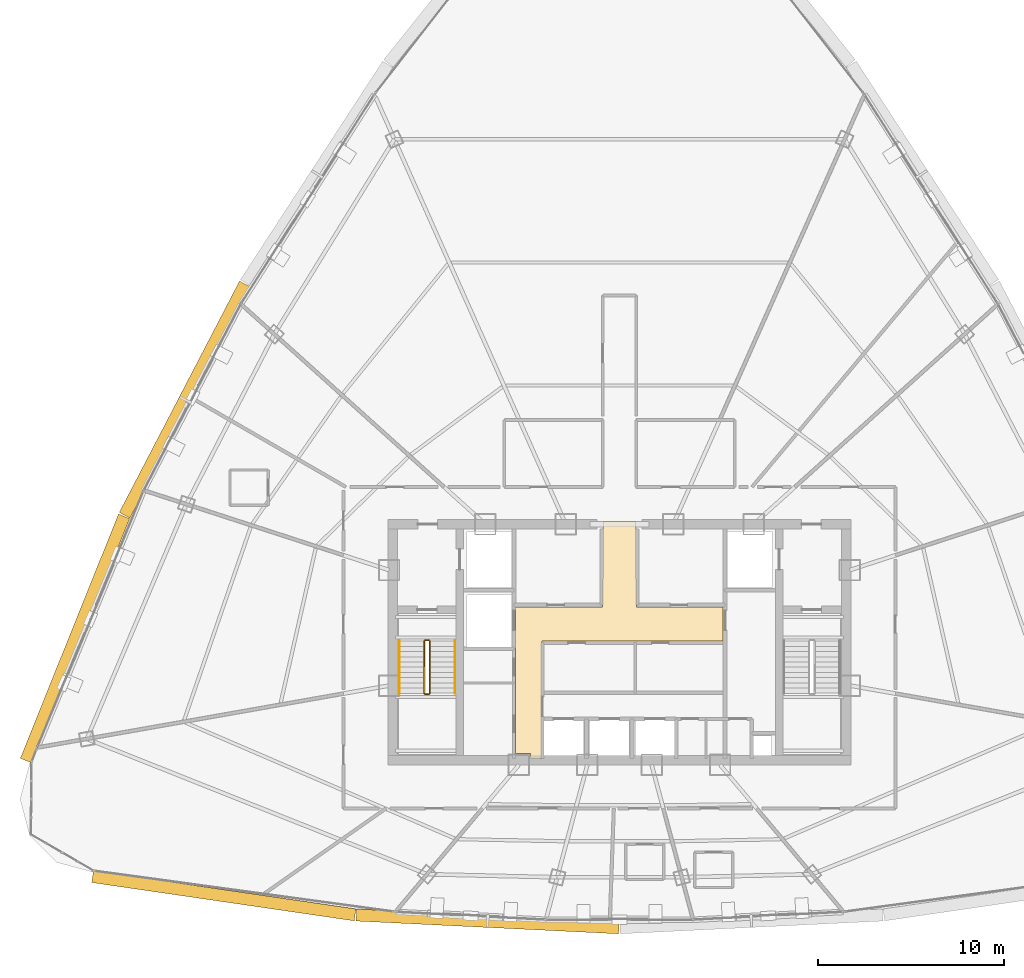
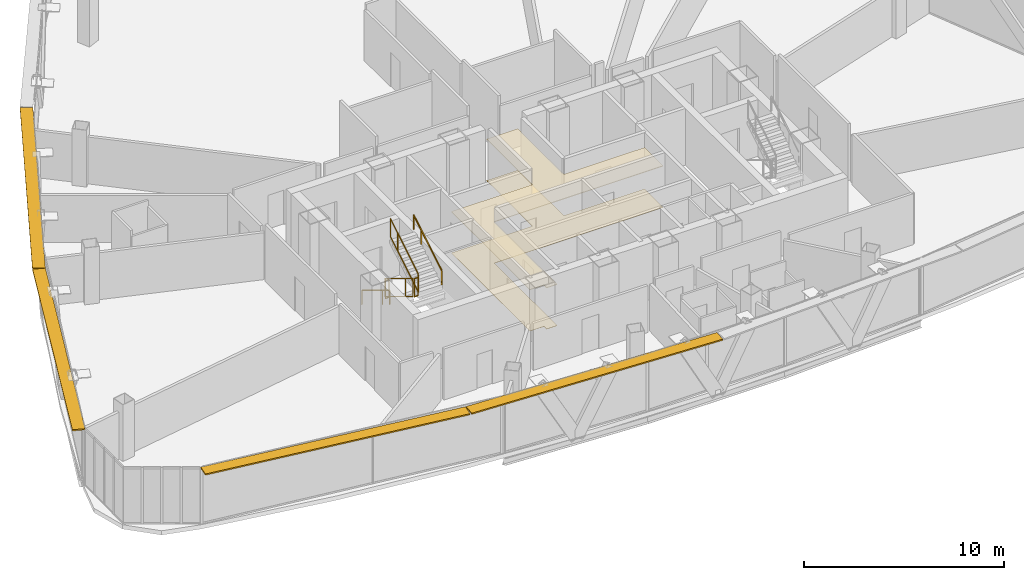
# One storey, part 37 of 39: 6 railings, 4 shading devices, 2 coverings.
"""IFC4 building model written with IfcOpenShell, lengths in metres."""

from ifc_helpers import new_model, si_unit, direction, frame, origin, origin_2d, place, context, subcontext, project, spatial, polyline, rectangle, outline, extrude, source, transform, mapped, material, layer, layer_set, type_object, element, save


model = new_model("IFC4")

# Units and contexts
model_context = context("Model", 3, precision=1e-05, world=origin(), true_north=direction((0.0, 1.0)))
body_context = subcontext(model_context, "Body", "Model", "MODEL_VIEW")
ifc_project = project(units=[si_unit("LENGTHUNIT", "METRE"), si_unit("AREAUNIT", "SQUARE_METRE"), si_unit("VOLUMEUNIT", "CUBIC_METRE"), si_unit("PLANEANGLEUNIT", "RADIAN"), si_unit("MASSUNIT", "GRAM", prefix="KILO"), si_unit("THERMODYNAMICTEMPERATUREUNIT", "KELVIN"), si_unit("POWERUNIT", "WATT")], contexts=[model_context])

# Site, building, storey
site_placement = place(None, origin())
site = spatial("IfcSite", under=ifc_project, at=site_placement, CompositionType="ELEMENT")
building_placement = place(site_placement, origin())
building = spatial("IfcBuilding", under=site, at=building_placement, Name="Yunzhuo Pagoda Commons", CompositionType="ELEMENT")
storey_placement = place(building_placement, frame((0.0, 0.0, 296.2099609375)))
storey = spatial("IfcBuildingStorey", under=building, at=storey_placement, Name="L74", CompositionType="ELEMENT", Elevation=296.2099609375)

# Coverings
ifc_material_1 = material(Name="Micro-perforated metal baffle ceiling")
ifc_layer_1 = layer(ifc_material_1, 0.034912109375)
ifc_layer_set_1 = layer_set([ifc_layer_1], Name="Micro-perforated metal baffle ceiling")
covering_type_1 = type_object("IfcCoveringType", Name="COV-CL3 Ceiling 35", PredefinedType="CEILING", material=ifc_layer_set_1)
covering_1_placement = place(storey_placement, frame((0.0, 0.0, 2.52001953125)))
element("IfcCovering", 1, at=covering_1_placement, inside=storey, type_object=covering_type_1, Name="L74 lift lobby acoustic ceiling", PredefinedType="CEILING", context=body_context, shape_type="SweptSolid", body=[
    extrude(outline(polyline([(42.39990234375, 35.75), (47.080078125, 35.75), (47.080078125, 37.25), (47.10009765625, 37.25), (47.10009765625, 40.35009765625), (48.89990234375, 40.35009765625), (48.89990234375, 37.25), (48.919921875, 37.25), (48.919921875, 35.75), (53.580078125, 35.75), (53.580078125, 33.89990234375), (43.820068359375, 33.89990234375), (43.820068359375, 27.60009765625), (43.207763671875, 27.60009765625), (43.207763671875, 27.85009765625), (43.201904296875, 27.864013671875), (43.187744140625, 27.8701171875), (42.39990234375, 27.8701171875), (42.39990234375, 33.89990234375), (42.39990234375, 35.75)])), origin(), (0.0, 0.0, 1.0), 0.034912109375),
])
ifc_material_2 = material(Name="Resilient acoustic studio flooring")
ifc_layer_2 = layer(ifc_material_2, 0.01806640625)
ifc_layer_set_2 = layer_set([ifc_layer_2], Name="Resilient acoustic studio flooring")
covering_type_2 = type_object("IfcCoveringType", Name="COV-FL3 Flooring 18", PredefinedType="FLOORING", material=ifc_layer_set_2)
covering_2_placement = place(storey_placement, origin())
element("IfcCovering", 2, at=covering_2_placement, inside=storey, type_object=covering_type_2, Name="L74 lift lobby flooring", PredefinedType="FLOORING", context=body_context, shape_type="SweptSolid", body=[
    extrude(outline(polyline([(42.39990234375, 35.75), (47.080078125, 35.75), (47.080078125, 37.25), (47.10009765625, 37.25), (47.10009765625, 40.35009765625), (48.89990234375, 40.35009765625), (48.89990234375, 37.25), (48.919921875, 37.25), (48.919921875, 35.75), (53.580078125, 35.75), (53.580078125, 33.89990234375), (43.820068359375, 33.89990234375), (43.820068359375, 27.60009765625), (43.207763671875, 27.60009765625), (43.207763671875, 27.85009765625), (43.201904296875, 27.864013671875), (43.187744140625, 27.8701171875), (42.39990234375, 27.8701171875), (42.39990234375, 33.89990234375), (42.39990234375, 35.75)])), origin(), (0.0, 0.0, 1.0), 0.01806640625),
])

# Railings
ifc_material_3 = material(Name="Anodized aluminium 6063-T6", Category="aluminium")
railing_type_1 = type_object("IfcRailingType", Name="GR-ST1 Stair Well Guardrail 1150", PredefinedType="GUARDRAIL", material=ifc_material_3)
railing_1_placement = place(storey_placement, frame((37.5, 33.89990234375, 0.169677734375)))
element("IfcRailing", 3, at=railing_1_placement, inside=storey, type_object=railing_type_1, Name="L74 ST1 stair guard 1", PredefinedType="GUARDRAIL", context=body_context, shape_type="SweptSolid", body=[
    extrude(rectangle(XDim=0.048095703125, YDim=0.048095703125, at=origin_2d()), frame((0.0, 0.0, 1.1259765625), z_axis=(0.0, -0.855406155521, 0.517957825596), x_axis=(1.0, 0.0, 0.0)), (0.0, 0.0, 1.0), 3.27294921875),
    extrude(rectangle(XDim=0.048095703125, YDim=0.048095703125, at=origin_2d()), frame((0.0, 0.0, 0.02392578125), z_axis=(0.0, -0.855406155521, 0.517957825596), x_axis=(1.0, 0.0, 0.0)), (0.0, 0.0, 1.0), 3.27294921875),
    extrude(rectangle(XDim=0.0419921875, YDim=0.0419921875, at=origin_2d()), origin(), (0.0, 0.0, 1.0), 1.101806640625),
    extrude(rectangle(XDim=0.0419921875, YDim=0.0419921875, at=origin_2d()), frame((0.0, -2.052978515625, 1.2431640625)), (0.0, 0.0, 1.0), 1.101806640625),
    extrude(rectangle(XDim=0.0419921875, YDim=0.0419921875, at=origin_2d()), frame((0.0, -2.7998046875, 1.6953125)), (0.0, 0.0, 1.0), 1.101806640625),
])
railing_2_placement = place(storey_placement, frame((37.550048828125, 31.050048828125, 1.864990234375)))
element("IfcRailing", 4, at=railing_2_placement, inside=storey, type_object=railing_type_1, Name="L74 ST1 stair guard 2", PredefinedType="GUARDRAIL", context=body_context, shape_type="SweptSolid", body=[
    extrude(rectangle(XDim=0.048095703125, YDim=0.048095703125, at=origin_2d()), frame((0.0, 0.0, 1.1259765625), z_axis=(1.0, 0.0, 0.0), x_axis=(0.0, 1.0, 0.0)), (0.0, 0.0, 1.0), 0.199951171875),
    extrude(rectangle(XDim=0.048095703125, YDim=0.048095703125, at=origin_2d()), frame((0.0, 0.0, 0.02392578125), z_axis=(1.0, 0.0, 0.0), x_axis=(0.0, 1.0, 0.0)), (0.0, 0.0, 1.0), 0.199951171875),
    extrude(rectangle(XDim=0.0419921875, YDim=0.0419921875, at=origin_2d()), origin(), (0.0, 0.0, 1.0), 1.101806640625),
    extrude(rectangle(XDim=0.0419921875, YDim=0.0419921875, at=origin_2d()), frame((0.199951171875, 0.0, 0.0)), (0.0, 0.0, 1.0), 1.101806640625),
])
railing_3_placement = place(storey_placement, frame((37.800048828125, 31.10009765625, 2.03466796875)))
element("IfcRailing", 5, at=railing_3_placement, inside=storey, type_object=railing_type_1, Name="L74 ST1 stair guard 3", PredefinedType="GUARDRAIL", context=body_context, shape_type="SweptSolid", body=[
    extrude(rectangle(XDim=0.048095703125, YDim=0.048095703125, at=origin_2d()), frame((0.0, 0.0, 1.1259765625), z_axis=(0.0, 0.855406155521, 0.517957825596), x_axis=(-1.0, 0.0, 0.0)), (0.0, 0.0, 1.0), 3.27294921875),
    extrude(rectangle(XDim=0.048095703125, YDim=0.048095703125, at=origin_2d()), frame((0.0, 0.0, 0.02392578125), z_axis=(0.0, 0.855406155521, 0.517957825596), x_axis=(-1.0, 0.0, 0.0)), (0.0, 0.0, 1.0), 3.27294921875),
    extrude(rectangle(XDim=0.0419921875, YDim=0.0419921875, at=origin_2d()), origin(), (0.0, 0.0, 1.0), 1.101806640625),
    extrude(rectangle(XDim=0.0419921875, YDim=0.0419921875, at=origin_2d()), frame((0.0, 2.052978515625, 1.2431640625)), (0.0, 0.0, 1.0), 1.101806640625),
    extrude(rectangle(XDim=0.0419921875, YDim=0.0419921875, at=origin_2d()), frame((0.0, 2.7998046875, 1.6953125)), (0.0, 0.0, 1.0), 1.101806640625),
])
railing_4_placement = place(storey_placement, frame((37.550048828125, 33.949951171875, 0.0)))
element("IfcRailing", 6, at=railing_4_placement, inside=storey, type_object=railing_type_1, Name="L74 ST1 stair guard 4", PredefinedType="GUARDRAIL", context=body_context, shape_type="SweptSolid", body=[
    extrude(rectangle(XDim=0.048095703125, YDim=0.048095703125, at=origin_2d()), frame((0.0, 0.0, 1.1259765625), z_axis=(1.0, 0.0, 0.0), x_axis=(0.0, 1.0, 0.0)), (0.0, 0.0, 1.0), 0.199951171875),
    extrude(rectangle(XDim=0.048095703125, YDim=0.048095703125, at=origin_2d()), frame((0.0, 0.0, 0.02392578125), z_axis=(1.0, 0.0, 0.0), x_axis=(0.0, 1.0, 0.0)), (0.0, 0.0, 1.0), 0.199951171875),
    extrude(rectangle(XDim=0.0419921875, YDim=0.0419921875, at=origin_2d()), origin(), (0.0, 0.0, 1.0), 1.101806640625),
    extrude(rectangle(XDim=0.0419921875, YDim=0.0419921875, at=origin_2d()), frame((0.199951171875, 0.0, 0.0)), (0.0, 0.0, 1.0), 1.101806640625),
])
railing_type_2 = type_object("IfcRailingType", Name="HR-ST1 Stair Handrail 900", PredefinedType="HANDRAIL", material=ifc_material_3)
railing_5_placement = place(storey_placement, frame((36.14990234375, 33.89990234375, 0.169677734375)))
element("IfcRailing", 7, at=railing_5_placement, inside=storey, type_object=railing_type_2, Name="L74 ST1 stair handrail 1", PredefinedType="HANDRAIL", context=body_context, shape_type="SweptSolid", body=[
    extrude(rectangle(XDim=0.048095703125, YDim=0.048095703125, at=origin_2d()), frame((0.0, 0.0, 0.8759765625), z_axis=(0.0, -0.855406155521, 0.517957825596), x_axis=(1.0, 0.0, 0.0)), (0.0, 0.0, 1.0), 3.27294921875),
    extrude(rectangle(XDim=0.0419921875, YDim=0.0419921875, at=origin_2d()), origin(), (0.0, 0.0, 1.0), 0.851806640625),
    extrude(rectangle(XDim=0.0419921875, YDim=0.0419921875, at=origin_2d()), frame((0.0, -2.052978515625, 1.2431640625)), (0.0, 0.0, 1.0), 0.851806640625),
    extrude(rectangle(XDim=0.0419921875, YDim=0.0419921875, at=origin_2d()), frame((0.0, -2.7998046875, 1.6953125)), (0.0, 0.0, 1.0), 0.851806640625),
])
railing_6_placement = place(storey_placement, frame((39.14990234375, 31.10009765625, 2.03466796875)))
element("IfcRailing", 8, at=railing_6_placement, inside=storey, type_object=railing_type_2, Name="L74 ST1 stair handrail 2", PredefinedType="HANDRAIL", context=body_context, shape_type="SweptSolid", body=[
    extrude(rectangle(XDim=0.048095703125, YDim=0.048095703125, at=origin_2d()), frame((0.0, 0.0, 0.8759765625), z_axis=(0.0, 0.855406155521, 0.517957825596), x_axis=(-1.0, 0.0, 0.0)), (0.0, 0.0, 1.0), 3.27294921875),
    extrude(rectangle(XDim=0.0419921875, YDim=0.0419921875, at=origin_2d()), origin(), (0.0, 0.0, 1.0), 0.851806640625),
    extrude(rectangle(XDim=0.0419921875, YDim=0.0419921875, at=origin_2d()), frame((0.0, 2.052978515625, 1.2431640625)), (0.0, 0.0, 1.0), 0.851806640625),
    extrude(rectangle(XDim=0.0419921875, YDim=0.0419921875, at=origin_2d()), frame((0.0, 2.7998046875, 1.6953125)), (0.0, 0.0, 1.0), 0.851806640625),
])

# Shading devices
ifc_layer_3 = layer(ifc_material_3, 0.080078125)
ifc_layer_set_3 = layer_set([ifc_layer_3], Name="Anodized aluminium 6063-T6")
shading_device_type = type_object("IfcShadingDeviceType", Name="SH-SUN1 Pagoda Horizontal Sunshade Eave 650", PredefinedType="USERDEFINED", material=ifc_layer_set_3)
shared_shape_1 = source(origin(), body_context, "Body", "SweptSolid", [
    extrude(rectangle(XDim=14.2802734375, YDim=0.64990234375, at=origin_2d()), origin(), (0.0, 0.0, 1.0), 0.080078125),
])
shading_device_1_placement = place(storey_placement, frame((26.710205078125, 20.203369140625, 3.389892578125), z_axis=(0.0, 0.0, 1.0), x_axis=(0.989510666697, -0.144459823108, 0.0)))
element("IfcShadingDevice", 9, at=shading_device_1_placement, inside=storey, type_object=shading_device_type, Name="L74 horizontal pagoda sunshade eave F1.1", ObjectType="SUNSHADE", PredefinedType="USERDEFINED", context=body_context, shape_type="MappedRepresentation", body=[
    mapped(shared_shape_1, transform((0.0, 0.0, 0.0), scale=1.0)),
])
shared_shape_2 = source(origin(), body_context, "Body", "SweptSolid", [
    extrude(rectangle(XDim=14.146728515625, YDim=0.64990234375, at=origin_2d()), origin(), (0.0, 0.0, 1.0), 0.080078125),
])
shading_device_2_placement = place(storey_placement, frame((40.9033203125, 18.822021484375, 3.389892578125), z_axis=(0.0, 0.0, 1.0), x_axis=(0.998818043775, -0.04860571396, 0.0)))
element("IfcShadingDevice", 10, at=shading_device_2_placement, inside=storey, type_object=shading_device_type, Name="L74 horizontal pagoda sunshade eave F1.2", ObjectType="SUNSHADE", PredefinedType="USERDEFINED", context=body_context, shape_type="MappedRepresentation", body=[
    mapped(shared_shape_2, transform((0.0, 0.0, 0.0), scale=1.0)),
])
shared_shape_3 = source(origin(), body_context, "Body", "SweptSolid", [
    extrude(rectangle(XDim=14.165283203125, YDim=0.64990234375, at=origin_2d()), origin(), (0.0, 0.0, 1.0), 0.080078125),
])
shading_device_3_placement = place(storey_placement, frame((18.701416015625, 34.05029296875, 3.389892578125), z_axis=(0.0, 0.0, 1.0), x_axis=(-0.372987782576, -0.927836253899, 0.0)))
element("IfcShadingDevice", 11, at=shading_device_3_placement, inside=storey, type_object=shading_device_type, Name="L74 horizontal pagoda sunshade eave F3.4", ObjectType="SUNSHADE", PredefinedType="USERDEFINED", context=body_context, shape_type="MappedRepresentation", body=[
    mapped(shared_shape_3, transform((0.0, 0.0, 0.0), scale=1.0)),
])
shared_shape_4 = source(origin(), body_context, "Body", "SweptSolid", [
    extrude(rectangle(XDim=14.031005859375, YDim=0.64990234375, at=origin_2d()), origin(), (0.0, 0.0, 1.0), 0.080078125),
])
shading_device_4_placement = place(storey_placement, frame((24.605224609375, 46.904052734375, 3.389892578125), z_axis=(0.0, 0.0, 1.0), x_axis=(-0.461206683033, -0.88729273384, 0.0)))
element("IfcShadingDevice", 12, at=shading_device_4_placement, inside=storey, type_object=shading_device_type, Name="L74 horizontal pagoda sunshade eave F3.3", ObjectType="SUNSHADE", PredefinedType="USERDEFINED", context=body_context, shape_type="MappedRepresentation", body=[
    mapped(shared_shape_4, transform((0.0, 0.0, 0.0), scale=1.0)),
])

save(model, "model.ifc")
